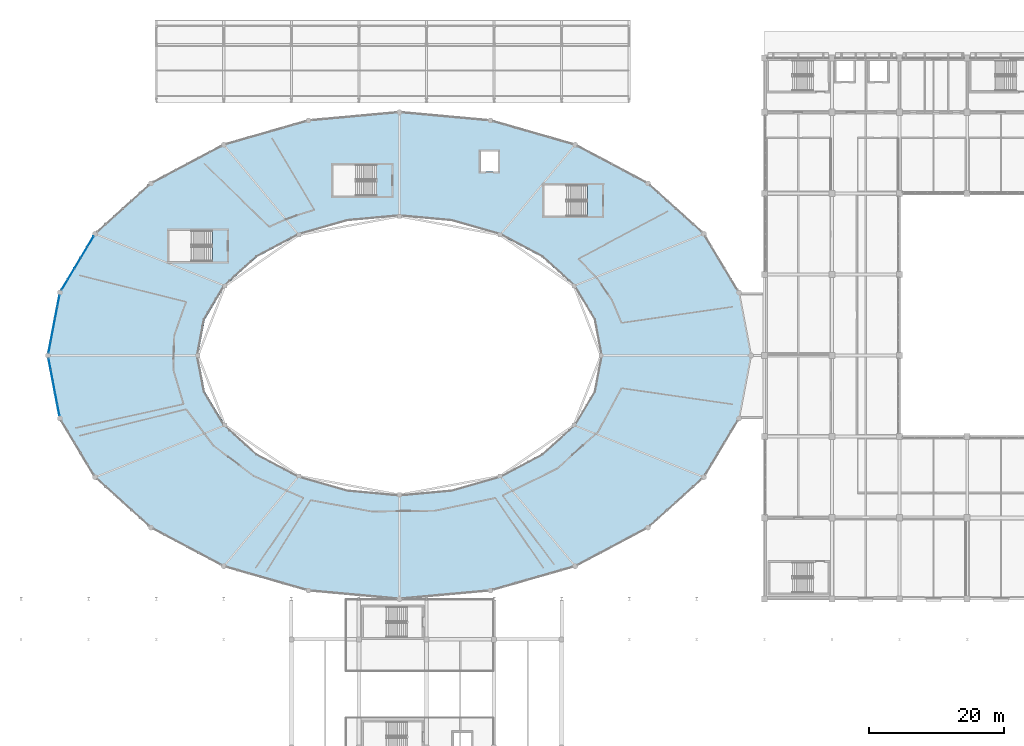
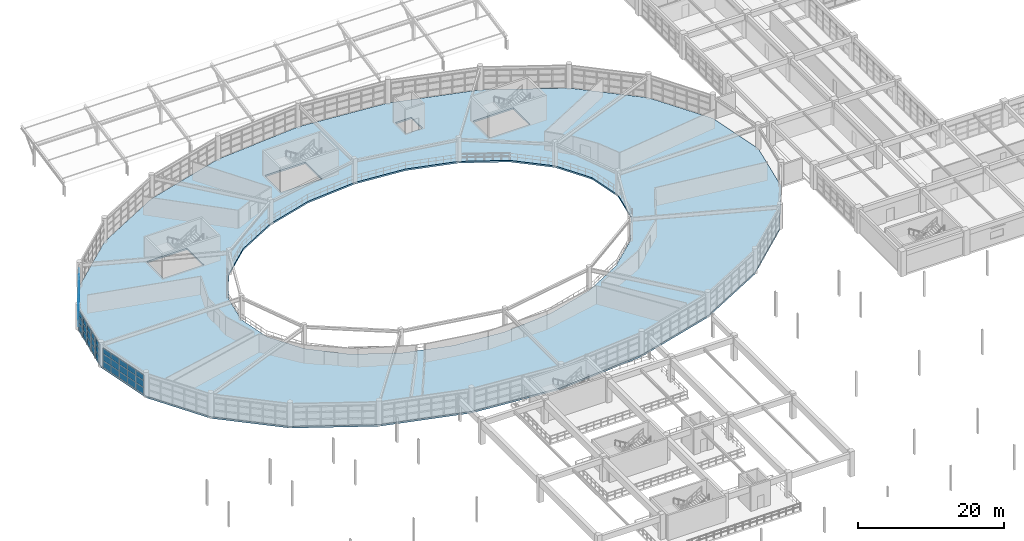
# One storey, part 65 of 100: 45 plates, 1 slab, 3 elements without a shape of their own.
"""IFC4 building model written with IfcOpenShell, lengths in metres."""

from ifc_helpers import new_model, si_unit, direction, frame, origin, origin_2d, place, context, subcontext, project, spatial, polyline, rectangle, outline, extrude, material, layer, layer_set, type_object, element, aggregate, save


model = new_model("IFC4")

# Units and contexts
model_context = context("Model", 3, precision=1e-05, world=origin(), true_north=direction((0.0, 1.0)))
body_context = subcontext(model_context, "Body", "Model", "MODEL_VIEW")
ifc_project = project(units=[si_unit("LENGTHUNIT", "METRE"), si_unit("AREAUNIT", "SQUARE_METRE"), si_unit("VOLUMEUNIT", "CUBIC_METRE"), si_unit("PLANEANGLEUNIT", "RADIAN"), si_unit("MASSUNIT", "GRAM", prefix="KILO")], contexts=[model_context])

# Site, building, storey
site_placement = place(None, origin())
site = spatial("IfcSite", under=ifc_project, at=site_placement, CompositionType="ELEMENT")
building_placement = place(site_placement, origin())
building = spatial("IfcBuilding", under=site, at=building_placement, Name="Kivolera Central Railway Station", CompositionType="ELEMENT")
storey_placement = place(building_placement, frame((0.0, 0.0, 5.39990234375)))
storey = spatial("IfcBuildingStorey", under=building, at=storey_placement, Name="L01", CompositionType="ELEMENT", Elevation=5.39990234375)

# Curtain wall, plates
ifc_material_1 = material(Name="Anodised aluminium", Category="aluminium")
ifc_layer_1 = layer(ifc_material_1, 0.179931640625, Name="Anodised aluminium")
ifc_layer_set_1 = layer_set([ifc_layer_1], Name="Anodised aluminium")
curtain_wall_type_1 = type_object("IfcCurtainWallType", Name="CW-SYS-02", PredefinedType="NOTDEFINED", material=ifc_layer_set_1)
curtain_wall_1_placement = place(storey_placement, origin())
curtain_wall_1 = element("IfcCurtainWall", 1, at=curtain_wall_1_placement, inside=storey, type_object=curtain_wall_type_1, Name="L01 Curtain Wall CW-L01-OVL-10", PredefinedType="NOTDEFINED")
ifc_material_2 = material(Name="Double low-E laminated glass", Category="glass")
ifc_layer_2 = layer(ifc_material_2, 0.030029296875, Name="Double low-E laminated glass")
ifc_layer_set_2 = layer_set([ifc_layer_2], Name="Double low-E laminated glass")
plate_type_1 = type_object("IfcPlateType", Name="CWP-GLZ-2", PredefinedType="CURTAIN_PANEL", material=ifc_layer_set_2)
plate_1_placement = place(storey_placement, frame((14.464599609375, 100.474609375, 0.05810546875), z_axis=(0.0, 0.0, 1.0), x_axis=(0.513453894052, 0.858117182372, 0.0)))
plate_1 = element("IfcPlate", 2, at=plate_1_placement, type_object=plate_type_1, Name="CW-02 panel 1.1", PredefinedType="CURTAIN_PANEL", context=body_context, shape_type="SweptSolid", body=[
    extrude(rectangle(XDim=1.782958984375, YDim=0.030029296875, at=origin_2d()), origin(), (0.0, 0.0, 1.0), 1.087890625),
])
plate_2_placement = place(storey_placement, frame((14.464599609375, 100.474609375, 1.192138671875), z_axis=(0.0, 0.0, 1.0), x_axis=(0.513453894052, 0.858117182372, 0.0)))
plate_2 = element("IfcPlate", 3, at=plate_2_placement, type_object=plate_type_1, Name="CW-02 panel 1.2", PredefinedType="CURTAIN_PANEL", context=body_context, shape_type="SweptSolid", body=[
    extrude(rectangle(XDim=1.782958984375, YDim=0.030029296875, at=origin_2d()), origin(), (0.0, 0.0, 1.0), 1.123046875),
])
plate_3_placement = place(storey_placement, frame((14.464599609375, 100.474609375, 2.361083984375), z_axis=(0.0, 0.0, 1.0), x_axis=(0.513453894052, 0.858117182372, 0.0)))
plate_3 = element("IfcPlate", 4, at=plate_3_placement, type_object=plate_type_1, Name="CW-02 panel 1.3", PredefinedType="CURTAIN_PANEL", context=body_context, shape_type="SweptSolid", body=[
    extrude(rectangle(XDim=1.782958984375, YDim=0.030029296875, at=origin_2d()), origin(), (0.0, 0.0, 1.0), 0.9208984375),
])
plate_4_placement = place(storey_placement, frame((15.41259765625, 102.05908203125, 0.05810546875), z_axis=(0.0, 0.0, 1.0), x_axis=(0.513453894052, 0.858117182372, 0.0)))
plate_4 = element("IfcPlate", 5, at=plate_4_placement, type_object=plate_type_1, Name="CW-02 panel 2.1", PredefinedType="CURTAIN_PANEL", context=body_context, shape_type="SweptSolid", body=[
    extrude(rectangle(XDim=1.81787109375, YDim=0.030029296875, at=origin_2d()), origin(), (0.0, 0.0, 1.0), 1.087890625),
])
plate_5_placement = place(storey_placement, frame((15.41259765625, 102.05908203125, 1.192138671875), z_axis=(0.0, 0.0, 1.0), x_axis=(0.513453894052, 0.858117182372, 0.0)))
plate_5 = element("IfcPlate", 6, at=plate_5_placement, type_object=plate_type_1, Name="CW-02 panel 2.2", PredefinedType="CURTAIN_PANEL", context=body_context, shape_type="SweptSolid", body=[
    extrude(rectangle(XDim=1.81787109375, YDim=0.030029296875, at=origin_2d()), origin(), (0.0, 0.0, 1.0), 1.123046875),
])
plate_6_placement = place(storey_placement, frame((15.41259765625, 102.05908203125, 2.361083984375), z_axis=(0.0, 0.0, 1.0), x_axis=(0.513453894052, 0.858117182372, 0.0)))
plate_6 = element("IfcPlate", 7, at=plate_6_placement, type_object=plate_type_1, Name="CW-02 panel 2.3", PredefinedType="CURTAIN_PANEL", context=body_context, shape_type="SweptSolid", body=[
    extrude(rectangle(XDim=1.81787109375, YDim=0.030029296875, at=origin_2d()), origin(), (0.0, 0.0, 1.0), 0.9208984375),
])
plate_7_placement = place(storey_placement, frame((16.369384765625, 103.658447265625, 0.05810546875), z_axis=(0.0, 0.0, 1.0), x_axis=(0.513453894052, 0.858117182372, 0.0)))
plate_7 = element("IfcPlate", 8, at=plate_7_placement, type_object=plate_type_1, Name="CW-02 panel 3.1", PredefinedType="CURTAIN_PANEL", context=body_context, shape_type="SweptSolid", body=[
    extrude(rectangle(XDim=1.81787109375, YDim=0.030029296875, at=origin_2d()), origin(), (0.0, 0.0, 1.0), 1.087890625),
])
plate_8_placement = place(storey_placement, frame((16.369384765625, 103.658447265625, 1.192138671875), z_axis=(0.0, 0.0, 1.0), x_axis=(0.513453894052, 0.858117182372, 0.0)))
plate_8 = element("IfcPlate", 9, at=plate_8_placement, type_object=plate_type_1, Name="CW-02 panel 3.2", PredefinedType="CURTAIN_PANEL", context=body_context, shape_type="SweptSolid", body=[
    extrude(rectangle(XDim=1.81787109375, YDim=0.030029296875, at=origin_2d()), origin(), (0.0, 0.0, 1.0), 1.123046875),
])
plate_9_placement = place(storey_placement, frame((16.369384765625, 103.658447265625, 2.361083984375), z_axis=(0.0, 0.0, 1.0), x_axis=(0.513453894052, 0.858117182372, 0.0)))
plate_9 = element("IfcPlate", 10, at=plate_9_placement, type_object=plate_type_1, Name="CW-02 panel 3.3", PredefinedType="CURTAIN_PANEL", context=body_context, shape_type="SweptSolid", body=[
    extrude(rectangle(XDim=1.81787109375, YDim=0.030029296875, at=origin_2d()), origin(), (0.0, 0.0, 1.0), 0.9208984375),
])
plate_10_placement = place(storey_placement, frame((17.326416015625, 105.2578125, 0.05810546875), z_axis=(0.0, 0.0, 1.0), x_axis=(0.513453894052, 0.858117182372, 0.0)))
plate_10 = element("IfcPlate", 11, at=plate_10_placement, type_object=plate_type_1, Name="CW-02 panel 4.1", PredefinedType="CURTAIN_PANEL", context=body_context, shape_type="SweptSolid", body=[
    extrude(rectangle(XDim=1.81787109375, YDim=0.030029296875, at=origin_2d()), origin(), (0.0, 0.0, 1.0), 1.087890625),
])
plate_11_placement = place(storey_placement, frame((17.326416015625, 105.2578125, 1.192138671875), z_axis=(0.0, 0.0, 1.0), x_axis=(0.513453894052, 0.858117182372, 0.0)))
plate_11 = element("IfcPlate", 12, at=plate_11_placement, type_object=plate_type_1, Name="CW-02 panel 4.2", PredefinedType="CURTAIN_PANEL", context=body_context, shape_type="SweptSolid", body=[
    extrude(rectangle(XDim=1.81787109375, YDim=0.030029296875, at=origin_2d()), origin(), (0.0, 0.0, 1.0), 1.123046875),
])
plate_12_placement = place(storey_placement, frame((17.326416015625, 105.2578125, 2.361083984375), z_axis=(0.0, 0.0, 1.0), x_axis=(0.513453894052, 0.858117182372, 0.0)))
plate_12 = element("IfcPlate", 13, at=plate_12_placement, type_object=plate_type_1, Name="CW-02 panel 4.3", PredefinedType="CURTAIN_PANEL", context=body_context, shape_type="SweptSolid", body=[
    extrude(rectangle(XDim=1.81787109375, YDim=0.030029296875, at=origin_2d()), origin(), (0.0, 0.0, 1.0), 0.9208984375),
])
plate_13_placement = place(storey_placement, frame((18.2744140625, 106.84228515625, 0.05810546875), z_axis=(0.0, 0.0, 1.0), x_axis=(0.513453894052, 0.858117182372, 0.0)))
plate_13 = element("IfcPlate", 14, at=plate_13_placement, type_object=plate_type_1, Name="CW-02 panel 5.1", PredefinedType="CURTAIN_PANEL", context=body_context, shape_type="SweptSolid", body=[
    extrude(rectangle(XDim=1.782958984375, YDim=0.030029296875, at=origin_2d()), origin(), (0.0, 0.0, 1.0), 1.087890625),
])
plate_14_placement = place(storey_placement, frame((18.2744140625, 106.84228515625, 1.192138671875), z_axis=(0.0, 0.0, 1.0), x_axis=(0.513453894052, 0.858117182372, 0.0)))
plate_14 = element("IfcPlate", 15, at=plate_14_placement, type_object=plate_type_1, Name="CW-02 panel 5.2", PredefinedType="CURTAIN_PANEL", context=body_context, shape_type="SweptSolid", body=[
    extrude(rectangle(XDim=1.782958984375, YDim=0.030029296875, at=origin_2d()), origin(), (0.0, 0.0, 1.0), 1.123046875),
])
plate_15_placement = place(storey_placement, frame((18.2744140625, 106.84228515625, 2.361083984375), z_axis=(0.0, 0.0, 1.0), x_axis=(0.513453894052, 0.858117182372, 0.0)))
plate_15 = element("IfcPlate", 16, at=plate_15_placement, type_object=plate_type_1, Name="CW-02 panel 5.3", PredefinedType="CURTAIN_PANEL", context=body_context, shape_type="SweptSolid", body=[
    extrude(rectangle(XDim=1.782958984375, YDim=0.030029296875, at=origin_2d()), origin(), (0.0, 0.0, 1.0), 0.9208984375),
])
aggregate(curtain_wall_1, [plate_1, plate_2, plate_3, plate_4, plate_5, plate_6, plate_7, plate_8, plate_9, plate_10, plate_11, plate_12, plate_13, plate_14, plate_15])

ifc_layer_3 = layer(ifc_material_1, 0.179931640625, Name="Anodised aluminium")
ifc_layer_set_3 = layer_set([ifc_layer_3], Name="Anodised aluminium")
curtain_wall_type_2 = type_object("IfcCurtainWallType", Name="CW-SYS-14", PredefinedType="NOTDEFINED", material=ifc_layer_set_3)
curtain_wall_2_placement = place(storey_placement, origin())
curtain_wall_2 = element("IfcCurtainWall", 17, at=curtain_wall_2_placement, inside=storey, type_object=curtain_wall_type_2, Name="L01 Curtain Wall CW-L01-OVL-11", PredefinedType="NOTDEFINED")
plate_16_placement = place(storey_placement, frame((12.240478515625, 91.26318359375, 0.05810546875), z_axis=(0.0, 0.0, 1.0), x_axis=(0.186784012201, 0.982401004064, 0.0)))
plate_16 = element("IfcPlate", 18, at=plate_16_placement, type_object=plate_type_1, Name="CW-14 panel 1.1", PredefinedType="CURTAIN_PANEL", context=body_context, shape_type="SweptSolid", body=[
    extrude(rectangle(XDim=1.65576171875, YDim=0.030029296875, at=origin_2d()), origin(), (0.0, 0.0, 1.0), 1.087890625),
])
plate_17_placement = place(storey_placement, frame((12.240478515625, 91.26318359375, 1.192138671875), z_axis=(0.0, 0.0, 1.0), x_axis=(0.186784012201, 0.982401004064, 0.0)))
plate_17 = element("IfcPlate", 19, at=plate_17_placement, type_object=plate_type_1, Name="CW-14 panel 1.2", PredefinedType="CURTAIN_PANEL", context=body_context, shape_type="SweptSolid", body=[
    extrude(rectangle(XDim=1.65576171875, YDim=0.030029296875, at=origin_2d()), origin(), (0.0, 0.0, 1.0), 1.123046875),
])
plate_18_placement = place(storey_placement, frame((12.240478515625, 91.26318359375, 2.361083984375), z_axis=(0.0, 0.0, 1.0), x_axis=(0.186784012201, 0.982401004064, 0.0)))
plate_18 = element("IfcPlate", 20, at=plate_18_placement, type_object=plate_type_1, Name="CW-14 panel 1.3", PredefinedType="CURTAIN_PANEL", context=body_context, shape_type="SweptSolid", body=[
    extrude(rectangle(XDim=1.65576171875, YDim=0.030029296875, at=origin_2d()), origin(), (0.0, 0.0, 1.0), 0.9208984375),
])
plate_19_placement = place(storey_placement, frame((12.5615234375, 92.952392578125, 0.05810546875), z_axis=(0.0, 0.0, 1.0), x_axis=(0.186784012201, 0.982401004064, 0.0)))
plate_19 = element("IfcPlate", 21, at=plate_19_placement, type_object=plate_type_1, Name="CW-14 panel 2.1", PredefinedType="CURTAIN_PANEL", context=body_context, shape_type="SweptSolid", body=[
    extrude(rectangle(XDim=1.690673828125, YDim=0.030029296875, at=origin_2d()), origin(), (0.0, 0.0, 1.0), 1.087890625),
])
plate_20_placement = place(storey_placement, frame((12.5615234375, 92.952392578125, 1.192138671875), z_axis=(0.0, 0.0, 1.0), x_axis=(0.186784012201, 0.982401004064, 0.0)))
plate_20 = element("IfcPlate", 22, at=plate_20_placement, type_object=plate_type_1, Name="CW-14 panel 2.2", PredefinedType="CURTAIN_PANEL", context=body_context, shape_type="SweptSolid", body=[
    extrude(rectangle(XDim=1.690673828125, YDim=0.030029296875, at=origin_2d()), origin(), (0.0, 0.0, 1.0), 1.123046875),
])
plate_21_placement = place(storey_placement, frame((12.5615234375, 92.952392578125, 2.361083984375), z_axis=(0.0, 0.0, 1.0), x_axis=(0.186784012201, 0.982401004064, 0.0)))
plate_21 = element("IfcPlate", 23, at=plate_21_placement, type_object=plate_type_1, Name="CW-14 panel 2.3", PredefinedType="CURTAIN_PANEL", context=body_context, shape_type="SweptSolid", body=[
    extrude(rectangle(XDim=1.690673828125, YDim=0.030029296875, at=origin_2d()), origin(), (0.0, 0.0, 1.0), 0.9208984375),
])
plate_22_placement = place(storey_placement, frame((12.885986328125, 94.658447265625, 0.05810546875), z_axis=(0.0, 0.0, 1.0), x_axis=(0.186784012201, 0.982401004064, 0.0)))
plate_22 = element("IfcPlate", 24, at=plate_22_placement, type_object=plate_type_1, Name="CW-14 panel 3.1", PredefinedType="CURTAIN_PANEL", context=body_context, shape_type="SweptSolid", body=[
    extrude(rectangle(XDim=1.690673828125, YDim=0.030029296875, at=origin_2d()), origin(), (0.0, 0.0, 1.0), 1.087890625),
])
plate_23_placement = place(storey_placement, frame((12.885986328125, 94.658447265625, 1.192138671875), z_axis=(0.0, 0.0, 1.0), x_axis=(0.186784012201, 0.982401004064, 0.0)))
plate_23 = element("IfcPlate", 25, at=plate_23_placement, type_object=plate_type_1, Name="CW-14 panel 3.2", PredefinedType="CURTAIN_PANEL", context=body_context, shape_type="SweptSolid", body=[
    extrude(rectangle(XDim=1.690673828125, YDim=0.030029296875, at=origin_2d()), origin(), (0.0, 0.0, 1.0), 1.123046875),
])
plate_24_placement = place(storey_placement, frame((12.885986328125, 94.658447265625, 2.361083984375), z_axis=(0.0, 0.0, 1.0), x_axis=(0.186784012201, 0.982401004064, 0.0)))
plate_24 = element("IfcPlate", 26, at=plate_24_placement, type_object=plate_type_1, Name="CW-14 panel 3.3", PredefinedType="CURTAIN_PANEL", context=body_context, shape_type="SweptSolid", body=[
    extrude(rectangle(XDim=1.690673828125, YDim=0.030029296875, at=origin_2d()), origin(), (0.0, 0.0, 1.0), 0.9208984375),
])
plate_25_placement = place(storey_placement, frame((13.21044921875, 96.36474609375, 0.05810546875), z_axis=(0.0, 0.0, 1.0), x_axis=(0.186784012201, 0.982401004064, 0.0)))
plate_25 = element("IfcPlate", 27, at=plate_25_placement, type_object=plate_type_1, Name="CW-14 panel 4.1", PredefinedType="CURTAIN_PANEL", context=body_context, shape_type="SweptSolid", body=[
    extrude(rectangle(XDim=1.690673828125, YDim=0.030029296875, at=origin_2d()), origin(), (0.0, 0.0, 1.0), 1.087890625),
])
plate_26_placement = place(storey_placement, frame((13.21044921875, 96.36474609375, 1.192138671875), z_axis=(0.0, 0.0, 1.0), x_axis=(0.186784012201, 0.982401004064, 0.0)))
plate_26 = element("IfcPlate", 28, at=plate_26_placement, type_object=plate_type_1, Name="CW-14 panel 4.2", PredefinedType="CURTAIN_PANEL", context=body_context, shape_type="SweptSolid", body=[
    extrude(rectangle(XDim=1.690673828125, YDim=0.030029296875, at=origin_2d()), origin(), (0.0, 0.0, 1.0), 1.123046875),
])
plate_27_placement = place(storey_placement, frame((13.21044921875, 96.36474609375, 2.361083984375), z_axis=(0.0, 0.0, 1.0), x_axis=(0.186784012201, 0.982401004064, 0.0)))
plate_27 = element("IfcPlate", 29, at=plate_27_placement, type_object=plate_type_1, Name="CW-14 panel 4.3", PredefinedType="CURTAIN_PANEL", context=body_context, shape_type="SweptSolid", body=[
    extrude(rectangle(XDim=1.690673828125, YDim=0.030029296875, at=origin_2d()), origin(), (0.0, 0.0, 1.0), 0.9208984375),
])
plate_28_placement = place(storey_placement, frame((13.531494140625, 98.0537109375, 0.05810546875), z_axis=(0.0, 0.0, 1.0), x_axis=(0.186784012201, 0.982401004064, 0.0)))
plate_28 = element("IfcPlate", 30, at=plate_28_placement, type_object=plate_type_1, Name="CW-14 panel 5.1", PredefinedType="CURTAIN_PANEL", context=body_context, shape_type="SweptSolid", body=[
    extrude(rectangle(XDim=1.65576171875, YDim=0.030029296875, at=origin_2d()), origin(), (0.0, 0.0, 1.0), 1.087890625),
])
plate_29_placement = place(storey_placement, frame((13.531494140625, 98.0537109375, 1.192138671875), z_axis=(0.0, 0.0, 1.0), x_axis=(0.186784012201, 0.982401004064, 0.0)))
plate_29 = element("IfcPlate", 31, at=plate_29_placement, type_object=plate_type_1, Name="CW-14 panel 5.2", PredefinedType="CURTAIN_PANEL", context=body_context, shape_type="SweptSolid", body=[
    extrude(rectangle(XDim=1.65576171875, YDim=0.030029296875, at=origin_2d()), origin(), (0.0, 0.0, 1.0), 1.123046875),
])
plate_30_placement = place(storey_placement, frame((13.531494140625, 98.0537109375, 2.361083984375), z_axis=(0.0, 0.0, 1.0), x_axis=(0.186784012201, 0.982401004064, 0.0)))
plate_30 = element("IfcPlate", 32, at=plate_30_placement, type_object=plate_type_1, Name="CW-14 panel 5.3", PredefinedType="CURTAIN_PANEL", context=body_context, shape_type="SweptSolid", body=[
    extrude(rectangle(XDim=1.65576171875, YDim=0.030029296875, at=origin_2d()), origin(), (0.0, 0.0, 1.0), 0.9208984375),
])
aggregate(curtain_wall_2, [plate_16, plate_17, plate_18, plate_19, plate_20, plate_21, plate_22, plate_23, plate_24, plate_25, plate_26, plate_27, plate_28, plate_29, plate_30])

curtain_wall_3_placement = place(storey_placement, origin())
curtain_wall_3 = element("IfcCurtainWall", 33, at=curtain_wall_3_placement, inside=storey, type_object=curtain_wall_type_2, Name="L01 Curtain Wall CW-L01-OVL-12", PredefinedType="NOTDEFINED")
ifc_layer_4 = layer(ifc_material_2, 0.033935546875, Name="Double low-E laminated glass")
ifc_layer_set_4 = layer_set([ifc_layer_4], Name="Double low-E laminated glass")
plate_type_2 = type_object("IfcPlateType", Name="CWP-GLZ-3", PredefinedType="CURTAIN_PANEL", material=ifc_layer_set_4)
plate_31_placement = place(storey_placement, frame((13.531494140625, 81.9462890625, 0.05810546875), z_axis=(0.0, 0.0, 1.0), x_axis=(-0.186784012201, 0.982401004064, 0.0)))
plate_31 = element("IfcPlate", 34, at=plate_31_placement, type_object=plate_type_2, Name="CW-14 panel 1.1", PredefinedType="CURTAIN_PANEL", context=body_context, shape_type="SweptSolid", body=[
    extrude(rectangle(XDim=1.65576171875, YDim=0.033935546875, at=origin_2d()), origin(), (0.0, 0.0, 1.0), 1.087890625),
])
plate_32_placement = place(storey_placement, frame((13.531494140625, 81.9462890625, 1.192138671875), z_axis=(0.0, 0.0, 1.0), x_axis=(-0.186784012201, 0.982401004064, 0.0)))
plate_32 = element("IfcPlate", 35, at=plate_32_placement, type_object=plate_type_2, Name="CW-14 panel 1.2", PredefinedType="CURTAIN_PANEL", context=body_context, shape_type="SweptSolid", body=[
    extrude(rectangle(XDim=1.65576171875, YDim=0.033935546875, at=origin_2d()), origin(), (0.0, 0.0, 1.0), 1.123046875),
])
plate_33_placement = place(storey_placement, frame((13.531494140625, 81.9462890625, 2.361083984375), z_axis=(0.0, 0.0, 1.0), x_axis=(-0.186784012201, 0.982401004064, 0.0)))
plate_33 = element("IfcPlate", 36, at=plate_33_placement, type_object=plate_type_2, Name="CW-14 panel 1.3", PredefinedType="CURTAIN_PANEL", context=body_context, shape_type="SweptSolid", body=[
    extrude(rectangle(XDim=1.65576171875, YDim=0.033935546875, at=origin_2d()), origin(), (0.0, 0.0, 1.0), 0.9208984375),
])
plate_34_placement = place(storey_placement, frame((13.21044921875, 83.63525390625, 0.05810546875), z_axis=(0.0, 0.0, 1.0), x_axis=(-0.186784012201, 0.982401004064, 0.0)))
plate_34 = element("IfcPlate", 37, at=plate_34_placement, type_object=plate_type_2, Name="CW-14 panel 2.1", PredefinedType="CURTAIN_PANEL", context=body_context, shape_type="SweptSolid", body=[
    extrude(rectangle(XDim=1.690673828125, YDim=0.033935546875, at=origin_2d()), origin(), (0.0, 0.0, 1.0), 1.087890625),
])
plate_35_placement = place(storey_placement, frame((13.21044921875, 83.63525390625, 1.192138671875), z_axis=(0.0, 0.0, 1.0), x_axis=(-0.186784012201, 0.982401004064, 0.0)))
plate_35 = element("IfcPlate", 38, at=plate_35_placement, type_object=plate_type_2, Name="CW-14 panel 2.2", PredefinedType="CURTAIN_PANEL", context=body_context, shape_type="SweptSolid", body=[
    extrude(rectangle(XDim=1.690673828125, YDim=0.033935546875, at=origin_2d()), origin(), (0.0, 0.0, 1.0), 1.123046875),
])
plate_36_placement = place(storey_placement, frame((13.21044921875, 83.63525390625, 2.361083984375), z_axis=(0.0, 0.0, 1.0), x_axis=(-0.186784012201, 0.982401004064, 0.0)))
plate_36 = element("IfcPlate", 39, at=plate_36_placement, type_object=plate_type_2, Name="CW-14 panel 2.3", PredefinedType="CURTAIN_PANEL", context=body_context, shape_type="SweptSolid", body=[
    extrude(rectangle(XDim=1.690673828125, YDim=0.033935546875, at=origin_2d()), origin(), (0.0, 0.0, 1.0), 0.9208984375),
])
plate_37_placement = place(storey_placement, frame((12.885986328125, 85.341552734375, 0.05810546875), z_axis=(0.0, 0.0, 1.0), x_axis=(-0.186784012201, 0.982401004064, 0.0)))
plate_37 = element("IfcPlate", 40, at=plate_37_placement, type_object=plate_type_2, Name="CW-14 panel 3.1", PredefinedType="CURTAIN_PANEL", context=body_context, shape_type="SweptSolid", body=[
    extrude(rectangle(XDim=1.690673828125, YDim=0.033935546875, at=origin_2d()), origin(), (0.0, 0.0, 1.0), 1.087890625),
])
plate_38_placement = place(storey_placement, frame((12.885986328125, 85.341552734375, 1.192138671875), z_axis=(0.0, 0.0, 1.0), x_axis=(-0.186784012201, 0.982401004064, 0.0)))
plate_38 = element("IfcPlate", 41, at=plate_38_placement, type_object=plate_type_2, Name="CW-14 panel 3.2", PredefinedType="CURTAIN_PANEL", context=body_context, shape_type="SweptSolid", body=[
    extrude(rectangle(XDim=1.690673828125, YDim=0.033935546875, at=origin_2d()), origin(), (0.0, 0.0, 1.0), 1.123046875),
])
plate_39_placement = place(storey_placement, frame((12.885986328125, 85.341552734375, 2.361083984375), z_axis=(0.0, 0.0, 1.0), x_axis=(-0.186784012201, 0.982401004064, 0.0)))
plate_39 = element("IfcPlate", 42, at=plate_39_placement, type_object=plate_type_2, Name="CW-14 panel 3.3", PredefinedType="CURTAIN_PANEL", context=body_context, shape_type="SweptSolid", body=[
    extrude(rectangle(XDim=1.690673828125, YDim=0.033935546875, at=origin_2d()), origin(), (0.0, 0.0, 1.0), 0.9208984375),
])
plate_40_placement = place(storey_placement, frame((12.5615234375, 87.047607421875, 0.05810546875), z_axis=(0.0, 0.0, 1.0), x_axis=(-0.186784012201, 0.982401004064, 0.0)))
plate_40 = element("IfcPlate", 43, at=plate_40_placement, type_object=plate_type_2, Name="CW-14 panel 4.1", PredefinedType="CURTAIN_PANEL", context=body_context, shape_type="SweptSolid", body=[
    extrude(rectangle(XDim=1.690673828125, YDim=0.033935546875, at=origin_2d()), origin(), (0.0, 0.0, 1.0), 1.087890625),
])
plate_41_placement = place(storey_placement, frame((12.5615234375, 87.047607421875, 1.192138671875), z_axis=(0.0, 0.0, 1.0), x_axis=(-0.186784012201, 0.982401004064, 0.0)))
plate_41 = element("IfcPlate", 44, at=plate_41_placement, type_object=plate_type_2, Name="CW-14 panel 4.2", PredefinedType="CURTAIN_PANEL", context=body_context, shape_type="SweptSolid", body=[
    extrude(rectangle(XDim=1.690673828125, YDim=0.033935546875, at=origin_2d()), origin(), (0.0, 0.0, 1.0), 1.123046875),
])
plate_42_placement = place(storey_placement, frame((12.5615234375, 87.047607421875, 2.361083984375), z_axis=(0.0, 0.0, 1.0), x_axis=(-0.186784012201, 0.982401004064, 0.0)))
plate_42 = element("IfcPlate", 45, at=plate_42_placement, type_object=plate_type_2, Name="CW-14 panel 4.3", PredefinedType="CURTAIN_PANEL", context=body_context, shape_type="SweptSolid", body=[
    extrude(rectangle(XDim=1.690673828125, YDim=0.033935546875, at=origin_2d()), origin(), (0.0, 0.0, 1.0), 0.9208984375),
])
plate_43_placement = place(storey_placement, frame((12.240478515625, 88.73681640625, 0.05810546875), z_axis=(0.0, 0.0, 1.0), x_axis=(-0.186784012201, 0.982401004064, 0.0)))
plate_43 = element("IfcPlate", 46, at=plate_43_placement, type_object=plate_type_2, Name="CW-14 panel 5.1", PredefinedType="CURTAIN_PANEL", context=body_context, shape_type="SweptSolid", body=[
    extrude(rectangle(XDim=1.65576171875, YDim=0.033935546875, at=origin_2d()), origin(), (0.0, 0.0, 1.0), 1.087890625),
])
plate_44_placement = place(storey_placement, frame((12.240478515625, 88.73681640625, 1.192138671875), z_axis=(0.0, 0.0, 1.0), x_axis=(-0.186784012201, 0.982401004064, 0.0)))
plate_44 = element("IfcPlate", 47, at=plate_44_placement, type_object=plate_type_2, Name="CW-14 panel 5.2", PredefinedType="CURTAIN_PANEL", context=body_context, shape_type="SweptSolid", body=[
    extrude(rectangle(XDim=1.65576171875, YDim=0.033935546875, at=origin_2d()), origin(), (0.0, 0.0, 1.0), 1.123046875),
])
plate_45_placement = place(storey_placement, frame((12.240478515625, 88.73681640625, 2.361083984375), z_axis=(0.0, 0.0, 1.0), x_axis=(-0.186784012201, 0.982401004064, 0.0)))
plate_45 = element("IfcPlate", 48, at=plate_45_placement, type_object=plate_type_2, Name="CW-14 panel 5.3", PredefinedType="CURTAIN_PANEL", context=body_context, shape_type="SweptSolid", body=[
    extrude(rectangle(XDim=1.65576171875, YDim=0.033935546875, at=origin_2d()), origin(), (0.0, 0.0, 1.0), 0.9208984375),
])
aggregate(curtain_wall_3, [plate_31, plate_32, plate_33, plate_34, plate_35, plate_36, plate_37, plate_38, plate_39, plate_40, plate_41, plate_42, plate_43, plate_44, plate_45])

# Slab
ifc_material_3 = material(Name="Concrete C40/50", Category="concrete")
ifc_layer_5 = layer(ifc_material_3, 0.280029296875, Name="Concrete C40/50")
ifc_layer_set_5 = layer_set([ifc_layer_5], Name="Concrete C40/50")
slab_type = type_object("IfcSlabType", Name="SLB-FLR-280", PredefinedType="FLOOR", material=ifc_layer_set_5)
slab_placement = place(storey_placement, frame((0.0, 0.0, -0.27978515625)))
element("IfcSlab", 49, at=slab_placement, inside=storey, type_object=slab_type, Name="L01 Oval Waiting Gallery Floor Slab", PredefinedType="FLOOR", context=body_context, shape_type="SweptSolid", body=[
    extrude(outline(polyline([(116.0, 90.0), (114.22802734375, 99.31689453125), (109.032958984375, 108.0), (100.77001953125, 115.4560546875), (90.0, 121.177001953125), (77.458984375, 124.77294921875), (64.0, 126.0), (50.541015625, 124.77294921875), (38.0, 121.177001953125), (27.22998046875, 115.4560546875), (18.967041015625, 108.0), (13.77197265625, 99.31689453125), (12.0, 90.0), (13.77197265625, 80.68310546875), (18.967041015625, 72.0), (27.22998046875, 64.5439453125), (38.0, 58.822998046875), (50.541015625, 55.22705078125), (64.0, 54.0), (77.458984375, 55.22705078125), (90.0, 58.822998046875), (100.77001953125, 64.5439453125), (109.032958984375, 72.0), (114.22802734375, 80.68310546875), (116.0, 90.0)]), holes=[polyline([(93.800048828125, 90.0), (92.784912109375, 95.33203125), (89.80810546875, 100.300048828125), (85.072021484375, 104.56591796875), (78.89990234375, 107.840087890625), (71.712890625, 109.89794921875), (64.0, 110.60009765625), (56.287109375, 109.89794921875), (49.10009765625, 107.840087890625), (42.927978515625, 104.56591796875), (38.19189453125, 100.300048828125), (35.215087890625, 95.33203125), (34.199951171875, 90.0), (35.215087890625, 84.66796875), (38.19189453125, 79.699951171875), (42.927978515625, 75.43408203125), (49.10009765625, 72.159912109375), (56.287109375, 70.10205078125), (64.0, 69.39990234375), (71.712890625, 70.10205078125), (78.89990234375, 72.159912109375), (85.072021484375, 75.43408203125), (89.80810546875, 79.699951171875), (92.784912109375, 84.66796875), (93.800048828125, 90.0)]), polyline([(60.60009765625, 118.199951171875), (54.199951171875, 118.199951171875), (54.199951171875, 113.6201171875), (60.60009765625, 113.6201171875), (60.60009765625, 118.199951171875)]), polyline([(36.300048828125, 108.5), (29.89990234375, 108.5), (29.89990234375, 103.919921875), (36.300048828125, 103.919921875), (36.300048828125, 108.5)]), polyline([(91.800048828125, 115.199951171875), (85.39990234375, 115.199951171875), (85.39990234375, 110.6201171875), (91.800048828125, 110.6201171875), (91.800048828125, 115.199951171875)]), polyline([(76.0, 117.199951171875), (78.60009765625, 117.199951171875), (78.60009765625, 120.199951171875), (76.0, 120.199951171875), (76.0, 117.199951171875)])]), origin(), (0.0, 0.0, 1.0), 0.27978515625),
])

save(model, "model.ifc")
